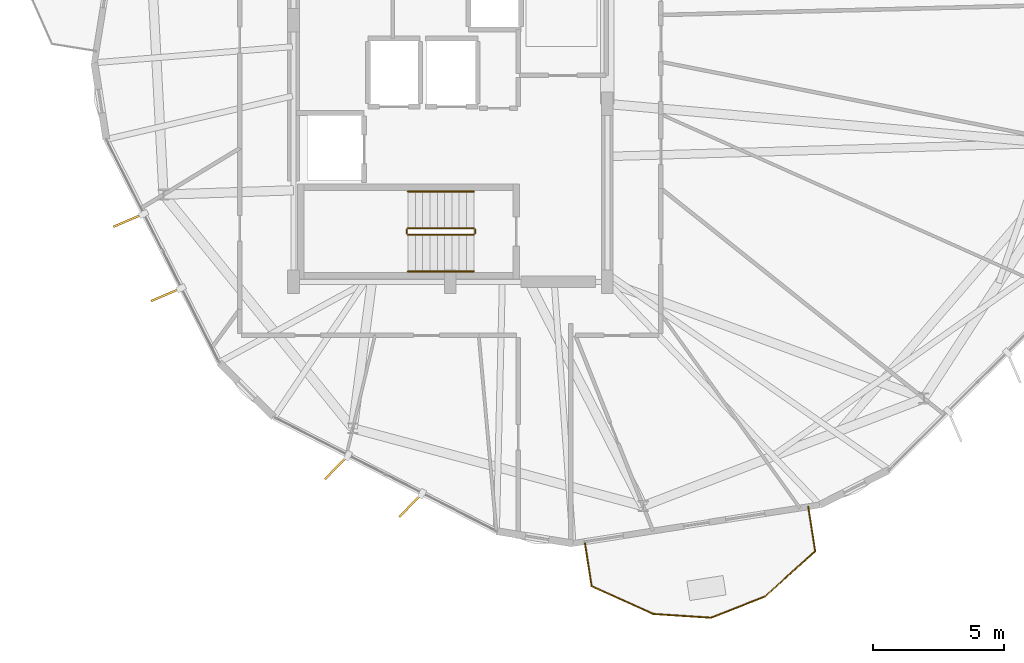
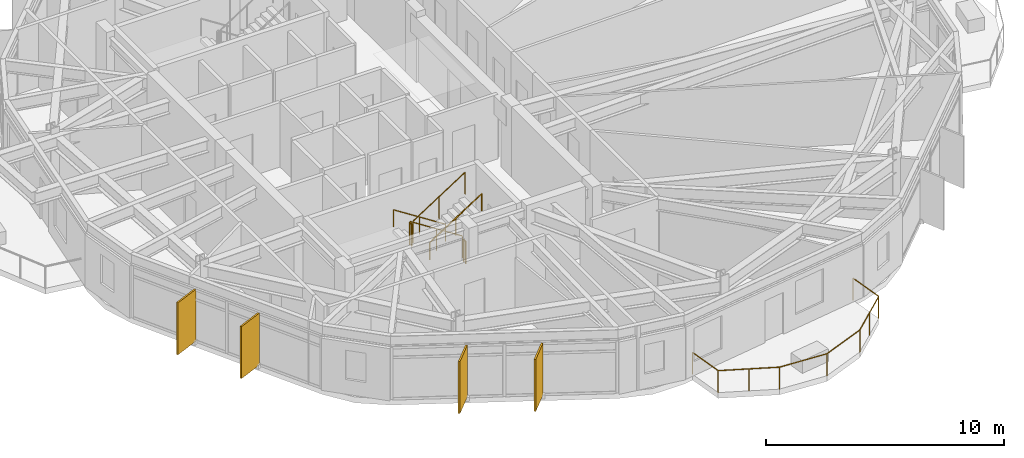
# One storey, part 25 of 27: 7 railings, 4 shading devices.
"""IFC4 building model written with IfcOpenShell, lengths in metres."""

from ifc_helpers import new_model, si_unit, direction, frame, origin, origin_2d, place, context, subcontext, project, spatial, rectangle, circle, extrude, material, layer, layer_set, type_object, element, save


model = new_model("IFC4")

# Units and contexts
model_context = context("Model", 3, precision=1e-05, world=origin(), true_north=direction((0.0, 1.0)))
body_context = subcontext(model_context, "Body", "Model", "MODEL_VIEW")
ifc_project = project(units=[si_unit("LENGTHUNIT", "METRE"), si_unit("AREAUNIT", "SQUARE_METRE"), si_unit("VOLUMEUNIT", "CUBIC_METRE"), si_unit("PLANEANGLEUNIT", "RADIAN"), si_unit("MASSUNIT", "GRAM", prefix="KILO")], contexts=[model_context])

# Site, building, storey
site_placement = place(None, origin())
site = spatial("IfcSite", under=ifc_project, at=site_placement, CompositionType="ELEMENT")
building_placement = place(site_placement, origin())
building = spatial("IfcBuilding", under=site, at=building_placement, Name="Soratama Intermodal Tower", CompositionType="ELEMENT")
storey_placement = place(building_placement, frame((0.0, 0.0, 197.800048828125)))
storey = spatial("IfcBuildingStorey", under=building, at=storey_placement, Name="L49", CompositionType="ELEMENT", Elevation=197.800048828125)

# Railings
ifc_material_1 = material(Name="Laminated glass and stainless steel balustrade", Category="steel")
railing_type_1 = type_object("IfcRailingType", Name="RL-BAL-1150", PredefinedType="BALUSTRADE", material=ifc_material_1)
railing_1_placement = place(storey_placement, frame((52.284423828125, 6.40185546875, 0.0)))
element("IfcRailing", 1, at=railing_1_placement, inside=storey, type_object=railing_type_1, Name="L49 Balcony Balustrade 4", PredefinedType="BALUSTRADE", context=body_context, shape_type="SweptSolid", body=[
    extrude(circle(Radius=0.02392578125, at=origin_2d()), frame((0.0, 0.0, 1.1259765625), z_axis=(0.154307592819, -0.988022857427, 0.0), x_axis=(0.988022857427, 0.154307592819, 0.0)), (0.0, 0.0, 1.0), 1.7197265625),
    extrude(circle(Radius=0.02392578125, at=origin_2d()), frame((0.265380859375, -1.69921875, 1.1259765625), z_axis=(-0.742264778872, -0.670106706463, 0.0), x_axis=(0.670106706463, -0.742264778872, 0.0)), (0.0, 0.0, 1.0), 2.5849609375),
    extrude(circle(Radius=0.02392578125, at=origin_2d()), frame((-1.6533203125, -3.431396484375, 1.1259765625), z_axis=(-0.930318452556, -0.366752746184, 0.0), x_axis=(0.366752746184, -0.930318452556, 0.0)), (0.0, 0.0, 1.0), 2.216796875),
    extrude(circle(Radius=0.02392578125, at=origin_2d()), frame((-3.715576171875, -4.244384765625, 1.1259765625), z_axis=(-0.997857656333, 0.065422455614, 0.0), x_axis=(-0.065422455614, -0.997857656333, 0.0)), (0.0, 0.0, 1.0), 2.216552734375),
    extrude(circle(Radius=0.02392578125, at=origin_2d()), frame((-5.927490234375, -4.099365234375, 1.1259765625), z_axis=(-0.911286013836, 0.411773968321, 0.0), x_axis=(-0.411773968321, -0.911286013836, 0.0)), (0.0, 0.0, 1.0), 2.5849609375),
    extrude(circle(Radius=0.02392578125, at=origin_2d()), frame((-8.283203125, -3.034912109375, 1.1259765625), z_axis=(-0.154424507234, 0.988004590863, 0.0), x_axis=(-0.988004590863, -0.154424507234, 0.0)), (0.0, 0.0, 1.0), 1.72021484375),
    extrude(circle(Radius=0.02099609375, at=origin_2d()), origin(), (0.0, 0.0, 1.0), 1.101806640625),
    extrude(circle(Radius=0.02099609375, at=origin_2d()), frame((0.265380859375, -1.69921875, 0.0)), (0.0, 0.0, 1.0), 1.101806640625),
    extrude(circle(Radius=0.02099609375, at=origin_2d()), frame((-0.69384765625, -2.5654296875, 0.0)), (0.0, 0.0, 1.0), 1.101806640625),
    extrude(circle(Radius=0.02099609375, at=origin_2d()), frame((-1.6533203125, -3.431396484375, 0.0)), (0.0, 0.0, 1.0), 1.101806640625),
    extrude(circle(Radius=0.02099609375, at=origin_2d()), frame((-3.715576171875, -4.244384765625, 0.0)), (0.0, 0.0, 1.0), 1.101806640625),
    extrude(circle(Radius=0.02099609375, at=origin_2d()), frame((-5.927490234375, -4.099365234375, 0.0)), (0.0, 0.0, 1.0), 1.101806640625),
    extrude(circle(Radius=0.02099609375, at=origin_2d()), frame((-7.10546875, -3.567138671875, 0.0)), (0.0, 0.0, 1.0), 1.101806640625),
    extrude(circle(Radius=0.02099609375, at=origin_2d()), frame((-8.283203125, -3.034912109375, 0.0)), (0.0, 0.0, 1.0), 1.101806640625),
    extrude(circle(Radius=0.02099609375, at=origin_2d()), frame((-8.548828125, -1.33544921875, 0.0)), (0.0, 0.0, 1.0), 1.101806640625),
])
ifc_material_2 = material(Name="Painted steel stair guardrail", Category="steel")
railing_type_2 = type_object("IfcRailingType", Name="RL-STAIR-GUARD", PredefinedType="GUARDRAIL", material=ifc_material_2)
railing_2_placement = place(storey_placement, frame((39.5, 17.050048828125, 0.179931640625)))
element("IfcRailing", 2, at=railing_2_placement, inside=storey, type_object=railing_type_2, Name="L49 ST-1 stair guard 1", PredefinedType="GUARDRAIL", context=body_context, shape_type="SweptSolid", body=[
    extrude(circle(Radius=0.02392578125, at=origin_2d()), frame((0.0, 0.0, 1.1259765625), z_axis=(-0.841162588446, 0.0, 0.540782303519), x_axis=(0.0, -1.0, 0.0)), (0.0, 0.0, 1.0), 2.995849609375),
    extrude(circle(Radius=0.02099609375, at=origin_2d()), origin(), (0.0, 0.0, 1.0), 1.101806640625),
    extrude(circle(Radius=0.02099609375, at=origin_2d()), frame((-1.260009765625, 0.0, 0.81005859375)), (0.0, 0.0, 1.0), 1.101806640625),
    extrude(circle(Radius=0.02099609375, at=origin_2d()), frame((-2.52001953125, 0.0, 1.6201171875)), (0.0, 0.0, 1.0), 1.101806640625),
])
railing_3_placement = place(storey_placement, frame((36.929931640625, 17.0, 1.800048828125)))
element("IfcRailing", 3, at=railing_3_placement, inside=storey, type_object=railing_type_2, Name="L49 ST-1 stair guard 2", PredefinedType="GUARDRAIL", context=body_context, shape_type="SweptSolid", body=[
    extrude(circle(Radius=0.02392578125, at=origin_2d()), frame((0.0, 0.0, 1.1259765625), z_axis=(0.0, -1.0, 0.0), x_axis=(1.0, 0.0, 0.0)), (0.0, 0.0, 1.0), 0.14990234375),
    extrude(circle(Radius=0.02099609375, at=origin_2d()), origin(), (0.0, 0.0, 1.0), 1.101806640625),
    extrude(circle(Radius=0.02099609375, at=origin_2d()), frame((0.0, -0.14990234375, 0.0)), (0.0, 0.0, 1.0), 1.101806640625),
])
railing_4_placement = place(storey_placement, frame((36.97998046875, 16.800048828125, 1.97998046875)))
element("IfcRailing", 4, at=railing_4_placement, inside=storey, type_object=railing_type_2, Name="L49 ST-1 stair guard 3", PredefinedType="GUARDRAIL", context=body_context, shape_type="SweptSolid", body=[
    extrude(circle(Radius=0.02392578125, at=origin_2d()), frame((0.0, 0.0, 1.1259765625), z_axis=(0.841199657755, 0.0, 0.540724639528), x_axis=(0.0, 1.0, 0.0)), (0.0, 0.0, 1.0), 2.995849609375),
    extrude(circle(Radius=0.02099609375, at=origin_2d()), origin(), (0.0, 0.0, 1.0), 1.101806640625),
    extrude(circle(Radius=0.02099609375, at=origin_2d()), frame((1.260009765625, 0.0, 0.81005859375)), (0.0, 0.0, 1.0), 1.101806640625),
    extrude(circle(Radius=0.02099609375, at=origin_2d()), frame((2.52001953125, 0.0, 1.619873046875)), (0.0, 0.0, 1.0), 1.101806640625),
])
railing_5_placement = place(storey_placement, frame((39.550048828125, 17.0, 0.0)))
element("IfcRailing", 5, at=railing_5_placement, inside=storey, type_object=railing_type_2, Name="L49 ST-1 stair guard 4", PredefinedType="GUARDRAIL", context=body_context, shape_type="SweptSolid", body=[
    extrude(circle(Radius=0.02392578125, at=origin_2d()), frame((0.0, 0.0, 1.1259765625), z_axis=(0.0, -1.0, 0.0), x_axis=(1.0, 0.0, 0.0)), (0.0, 0.0, 1.0), 0.14990234375),
    extrude(circle(Radius=0.02099609375, at=origin_2d()), origin(), (0.0, 0.0, 1.0), 1.101806640625),
    extrude(circle(Radius=0.02099609375, at=origin_2d()), frame((0.0, -0.14990234375, 0.0)), (0.0, 0.0, 1.0), 1.101806640625),
])
ifc_material_3 = material(Name="Brushed stainless steel handrail", Category="steel")
railing_type_3 = type_object("IfcRailingType", Name="RL-STAIR-HAND", PredefinedType="HANDRAIL", material=ifc_material_3)
railing_6_placement = place(storey_placement, frame((39.5, 18.449951171875, 0.179931640625)))
element("IfcRailing", 6, at=railing_6_placement, inside=storey, type_object=railing_type_3, Name="L49 ST-1 stair handrail 1", PredefinedType="HANDRAIL", context=body_context, shape_type="SweptSolid", body=[
    extrude(circle(Radius=0.02392578125, at=origin_2d()), frame((0.0, 0.0, 0.8759765625), z_axis=(-0.841162588446, 0.0, 0.540782303519), x_axis=(0.0, -1.0, 0.0)), (0.0, 0.0, 1.0), 2.995849609375),
    extrude(circle(Radius=0.02099609375, at=origin_2d()), origin(), (0.0, 0.0, 1.0), 0.851806640625),
    extrude(circle(Radius=0.02099609375, at=origin_2d()), frame((-1.260009765625, 0.0, 0.81005859375)), (0.0, 0.0, 1.0), 0.851806640625),
    extrude(circle(Radius=0.02099609375, at=origin_2d()), frame((-2.52001953125, 0.0, 1.6201171875)), (0.0, 0.0, 1.0), 0.851806640625),
])
railing_7_placement = place(storey_placement, frame((36.97998046875, 15.39990234375, 1.97998046875)))
element("IfcRailing", 7, at=railing_7_placement, inside=storey, type_object=railing_type_3, Name="L49 ST-1 stair handrail 2", PredefinedType="HANDRAIL", context=body_context, shape_type="SweptSolid", body=[
    extrude(circle(Radius=0.02392578125, at=origin_2d()), frame((0.0, 0.0, 0.8759765625), z_axis=(0.841199657755, 0.0, 0.540724639528), x_axis=(0.0, 1.0, 0.0)), (0.0, 0.0, 1.0), 2.995849609375),
    extrude(circle(Radius=0.02099609375, at=origin_2d()), origin(), (0.0, 0.0, 1.0), 0.851806640625),
    extrude(circle(Radius=0.02099609375, at=origin_2d()), frame((1.260009765625, 0.0, 0.81005859375)), (0.0, 0.0, 1.0), 0.851806640625),
    extrude(circle(Radius=0.02099609375, at=origin_2d()), frame((2.52001953125, 0.0, 1.619873046875)), (0.0, 0.0, 1.0), 0.851806640625),
])

# Shading devices
ifc_material_4 = material(Name="Champagne anodised aluminium solar fin", Category="aluminium")
ifc_layer = layer(ifc_material_4, 0.080078125)
ifc_layer_set = layer_set([ifc_layer], Name="Champagne anodised aluminium solar fin")
shading_device_type = type_object("IfcShadingDeviceType", Name="SH-FIN-1250", PredefinedType="USERDEFINED", material=ifc_layer_set)
for number, where, z_axis, x_axis, name in (
    (8, (26.294189453125, 17.350341796875, 0.02001953125), (0.0, 0.0, 1.0), (-0.91961594401, -0.392818680211, 0.0), "L49 Solar Fin F05-1"),
    (9, (27.73388671875, 14.51025390625, 0.02001953125), (0.0, 0.0, 1.0), (-0.91961594401, -0.392818680211, 0.0), "L49 Solar Fin F05-2"),
    (10, (34.2451171875, 7.90673828125, 0.02001953125), (0.0, 0.0, 1.0), (-0.69578744931, -0.718247746521, 0.0), "L49 Solar Fin F06-1"),
    (11, (37.079345703125, 6.455322265625, 0.02001953125), (0.0, 0.0, 1.0), (-0.69578744931, -0.718247746521, 0.0), "L49 Solar Fin F06-2"),
):
    element("IfcShadingDevice", number, at=place(storey_placement, frame(where, z_axis=z_axis, x_axis=x_axis)), inside=storey, type_object=shading_device_type, Name=name, ObjectType="FIN", PredefinedType="USERDEFINED", context=body_context, shape_type="SweptSolid", body=[
        extrude(rectangle(XDim=1.25, YDim=0.080078125, at=origin_2d()), origin(), (0.0, 0.0, 1.0), 2.658935546875),
    ])

save(model, "model.ifc")
